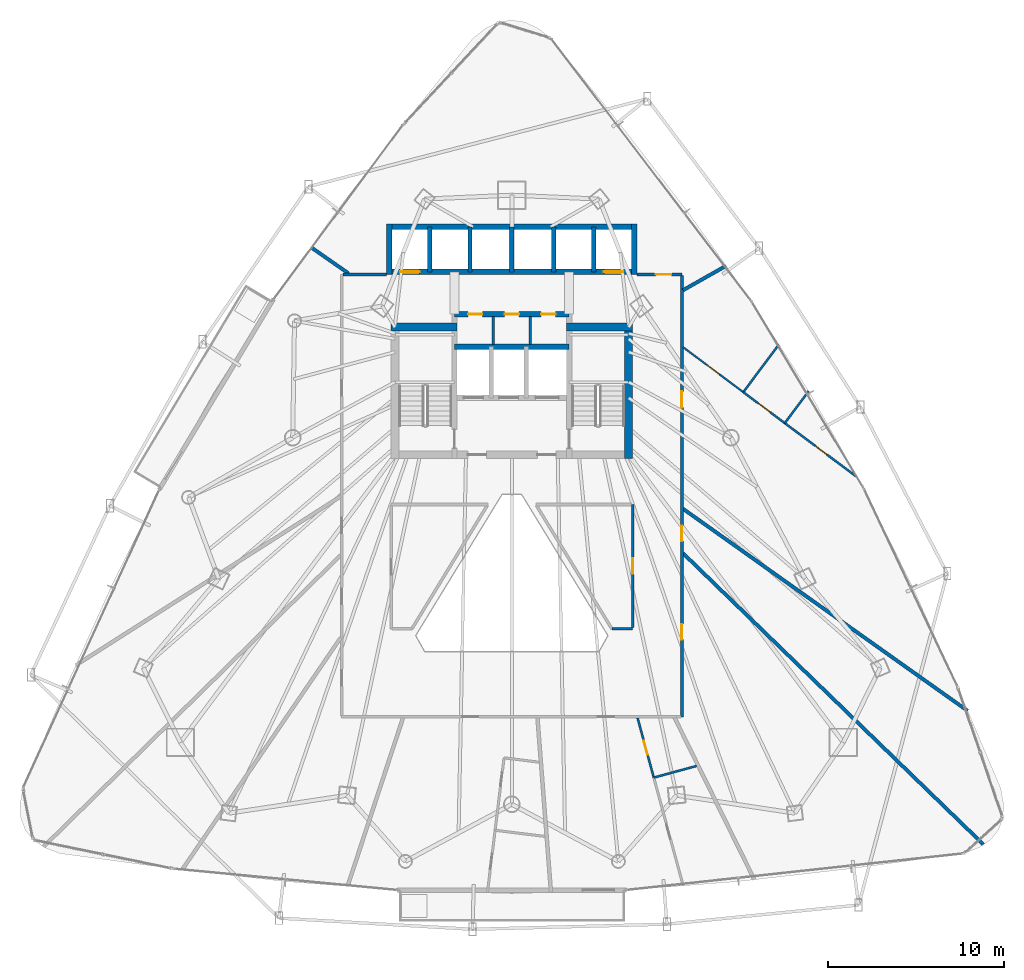
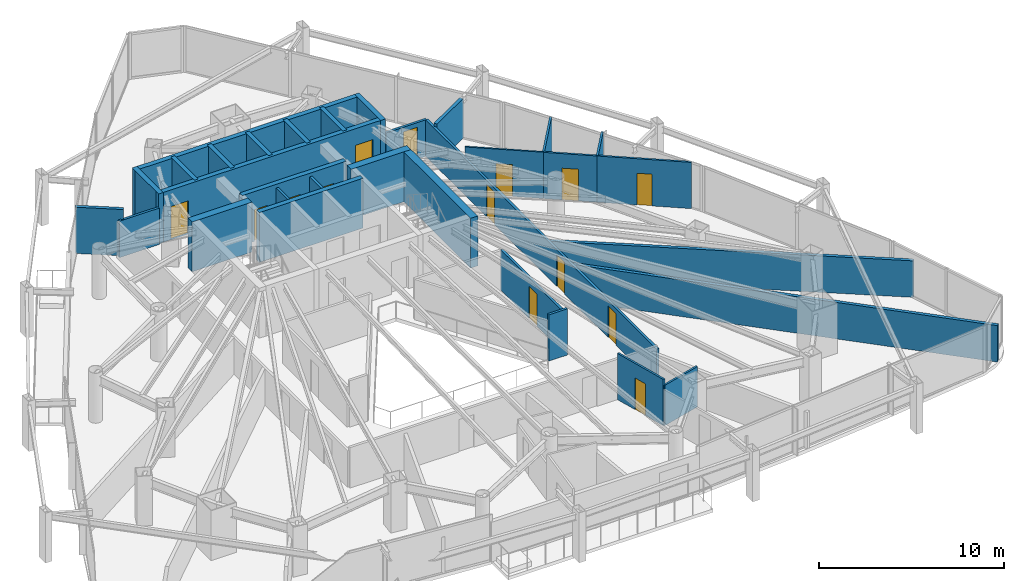
# One storey, part 30 of 34: 32 walls, 14 doors, 14 openings.
"""IFC4 building model written with IfcOpenShell, lengths in metres."""

from ifc_helpers import new_model, si_unit, direction, frame, frame_2d, origin, place, context, subcontext, project, spatial, rectangle, extrude, material, layer, layer_set, type_object, element, fill, save


model = new_model("IFC4")

# Units and contexts
model_context = context("Model", 3, precision=1e-05, world=origin(), true_north=direction((0.0, 1.0)))
body_context = subcontext(model_context, "Body", "Model", "MODEL_VIEW")
ifc_project = project(units=[si_unit("LENGTHUNIT", "METRE"), si_unit("AREAUNIT", "SQUARE_METRE"), si_unit("VOLUMEUNIT", "CUBIC_METRE"), si_unit("PLANEANGLEUNIT", "RADIAN"), si_unit("MASSUNIT", "GRAM", prefix="KILO")], contexts=[model_context])

# Site, building, storey
site_placement = place(None, origin())
site = spatial("IfcSite", under=ifc_project, at=site_placement, CompositionType="ELEMENT")
building_placement = place(site_placement, origin())
building = spatial("IfcBuilding", under=site, at=building_placement, Name="Orvanel Arch Residences", CompositionType="ELEMENT")
storey_placement = place(building_placement, frame((0.0, 0.0, 64.25)))
storey = spatial("IfcBuildingStorey", under=building, at=storey_placement, Name="L17", CompositionType="ELEMENT", Elevation=64.25)

# Walls
ifc_material_1 = material(Name="Concrete N50 (50 MPa)", Category="concrete")
ifc_layer_1 = layer(ifc_material_1, 0.25)
ifc_layer_set_1 = layer_set([ifc_layer_1], Name="Concrete N50 (50 MPa)")
wall_type_1 = type_object("IfcWallType", Name="SW-CORE-250", PredefinedType="SHEAR", material=ifc_layer_set_1)
for number, where, z_axis, x_axis, name in (
    (1, (28.35009765625, 37.050048828125, 0.0), (0.0, 0.0, 1.0), (0.0, 1.0, 0.0), "L17 Passenger Lift Inter-Shaft Wall P13"),
    (2, (30.625, 37.050048828125, 0.0), (0.0, 0.0, 1.0), (0.0, 1.0, 0.0), "L17 Passenger Lift Inter-Shaft Wall P35"),
    (3, (33.0, 37.050048828125, 0.0), (0.0, 0.0, 1.0), (0.0, 1.0, 0.0), "L17 Passenger Lift Inter-Shaft Wall P56"),
    (4, (35.375, 37.050048828125, 0.0), (0.0, 0.0, 1.0), (0.0, 1.0, 0.0), "L17 Passenger Lift Inter-Shaft Wall P64"),
    (5, (37.64990234375, 37.050048828125, 0.0), (0.0, 0.0, 1.0), (0.0, 1.0, 0.0), "L17 Passenger Lift Inter-Shaft Wall P42"),
):
    element("IfcWall", number, at=place(storey_placement, frame(where, z_axis=z_axis, x_axis=x_axis)), inside=storey, type_object=wall_type_1, Name=name, PredefinedType="SHEAR", context=body_context, shape_type="SweptSolid", body=[
        extrude(rectangle(XDim=2.550048828125, YDim=0.25, at=frame_2d((1.27490234375, 0.0))), origin(), (0.0, 0.0, 1.0), 3.300048828125),
    ])
ifc_material_2 = material(Name="Concrete S80 (80 MPa)", Category="concrete")
ifc_layer_2 = layer(ifc_material_2, 0.300048828125)
ifc_layer_set_2 = layer_set([ifc_layer_2], Name="Concrete S80 (80 MPa)")
wall_type_2 = type_object("IfcWallType", Name="SW-CORE-300", PredefinedType="SHEAR", material=ifc_layer_set_2)
wall_1_placement = place(storey_placement, frame((29.75, 32.800048828125, 0.0), z_axis=(0.0, 0.0, 1.0), x_axis=(1.0, 0.0, 0.0)))
element("IfcWall", 6, at=wall_1_placement, inside=storey, type_object=wall_type_2, Name="L17 Emergency Lift Back Core Shear Wall", PredefinedType="SHEAR", context=body_context, shape_type="SweptSolid", body=[
    extrude(rectangle(XDim=6.5, YDim=0.300048828125, at=frame_2d((3.25, 0.0))), origin(), (0.0, 0.0, 1.0), 3.300048828125),
])

# Wall, openings, doors
wall_2_placement = place(storey_placement, frame((29.75, 34.64990234375, 0.0), z_axis=(0.0, 0.0, 1.0), x_axis=(1.0, 0.0, 0.0)))
wall_2 = element("IfcWall", 7, at=wall_2_placement, inside=storey, type_object=wall_type_2, Name="L17 Core Service Band North Shear Wall", PredefinedType="SHEAR", context=body_context, shape_type="SweptSolid", body=[
    extrude(rectangle(XDim=6.5, YDim=0.300048828125, at=frame_2d((3.25, 0.0))), origin(), (0.0, 0.0, 1.0), 3.300048828125),
])
opening_1_placement = place(wall_2_placement, frame((0.764892578125, 0.0, 0.0)))
opening_1 = element("IfcOpeningElement", 8, at=opening_1_placement, cuts=wall_2, Name="Opening DS-082", PredefinedType="OPENING", context=body_context, shape_type="SweptSolid", body=[
    extrude(rectangle(XDim=0.820068359375, YDim=2.10009765625, at=frame_2d((0.41015625, 1.050048828125))), frame((0.0, 0.159912109375, 0.0), z_axis=(0.0, -1.0, 0.0), x_axis=(1.0, 0.0, 0.0)), (0.0, 0.0, 1.0), 0.320068359375),
])
opening_2_placement = place(wall_2_placement, frame((2.840087890625, 0.0, 0.0)))
opening_2 = element("IfcOpeningElement", 9, at=opening_2_placement, cuts=wall_2, Name="Opening DS-082", PredefinedType="OPENING", context=body_context, shape_type="SweptSolid", body=[
    extrude(rectangle(XDim=0.820068359375, YDim=2.10009765625, at=frame_2d((0.41015625, 1.050048828125))), frame((0.0, 0.159912109375, 0.0), z_axis=(0.0, -1.0, 0.0), x_axis=(1.0, 0.0, 0.0)), (0.0, 0.0, 1.0), 0.320068359375),
])
opening_3_placement = place(wall_2_placement, frame((4.9150390625, 0.0, 0.0)))
opening_3 = element("IfcOpeningElement", 10, at=opening_3_placement, cuts=wall_2, Name="Opening DS-082", PredefinedType="OPENING", context=body_context, shape_type="SweptSolid", body=[
    extrude(rectangle(XDim=0.820068359375, YDim=2.10009765625, at=frame_2d((0.41015625, 1.050048828125))), frame((0.0, 0.159912109375, 0.0), z_axis=(0.0, -1.0, 0.0), x_axis=(1.0, 0.0, 0.0)), (0.0, 0.0, 1.0), 0.320068359375),
])
ifc_material_3 = material(Name="Galvanised steel fire-resisting door assembly", Category="steel")
door_type_1 = type_object("IfcDoorType", Name="DR-SVC-820", OperationType="NOTDEFINED", PredefinedType="DOOR", material=ifc_material_3)
door_1_placement = place(opening_1_placement, origin())
door_1 = element("IfcDoor", 11, at=door_1_placement, inside=storey, type_object=door_type_1, Name="DR-L17-CSVC-1 L17 Housekeeping Store Door", OperationType="SINGLE_SWING_LEFT", OverallHeight=2.10009765625, OverallWidth=0.820068359375, PredefinedType="DOOR", context=body_context, shape_type="SweptSolid", body=[
    extrude(rectangle(XDim=0.820068359375, YDim=2.10009765625, at=frame_2d((0.41015625, 1.050048828125))), frame((0.0, 0.02490234375, 0.0), z_axis=(0.0, -1.0, 0.0), x_axis=(1.0, 0.0, 0.0)), (0.0, 0.0, 1.0), 0.050048828125),
])
fill(opening_1, door_1)
door_2_placement = place(opening_2_placement, origin())
door_2 = element("IfcDoor", 12, at=door_2_placement, inside=storey, type_object=door_type_1, Name="DR-L17-CSVC-2 L17 Cleaner's Store Door", OperationType="SINGLE_SWING_LEFT", OverallHeight=2.10009765625, OverallWidth=0.820068359375, PredefinedType="DOOR", context=body_context, shape_type="SweptSolid", body=[
    extrude(rectangle(XDim=0.820068359375, YDim=2.10009765625, at=frame_2d((0.41015625, 1.050048828125))), frame((0.0, 0.02490234375, 0.0), z_axis=(0.0, -1.0, 0.0), x_axis=(1.0, 0.0, 0.0)), (0.0, 0.0, 1.0), 0.050048828125),
])
fill(opening_2, door_2)
door_3_placement = place(opening_3_placement, origin())
door_3 = element("IfcDoor", 13, at=door_3_placement, inside=storey, type_object=door_type_1, Name="DR-L17-CSVC-3 L17 Comms Riser Store Door", OperationType="SINGLE_SWING_LEFT", OverallHeight=2.10009765625, OverallWidth=0.820068359375, PredefinedType="DOOR", context=body_context, shape_type="SweptSolid", body=[
    extrude(rectangle(XDim=0.820068359375, YDim=2.10009765625, at=frame_2d((0.41015625, 1.050048828125))), frame((0.0, 0.02490234375, 0.0), z_axis=(0.0, -1.0, 0.0), x_axis=(1.0, 0.0, 0.0)), (0.0, 0.0, 1.0), 0.050048828125),
])
fill(opening_3, door_3)

wall_3_placement = place(storey_placement, frame((40.10009765625, 37.050048828125, 0.0), z_axis=(0.0, 0.0, 1.0), x_axis=(-1.0, 0.0, 0.0)))
wall_3 = element("IfcWall", 14, at=wall_3_placement, inside=storey, type_object=wall_type_2, Name="L17 Passenger Lift Bank Front Shear Wall", PredefinedType="SHEAR", context=body_context, shape_type="SweptSolid", body=[
    extrude(rectangle(XDim=14.2001953125, YDim=0.300048828125, at=frame_2d((7.10009765625, 0.0))), origin(), (0.0, 0.0, 1.0), 3.300048828125),
])
opening_4_placement = place(wall_3_placement, frame((12.324951171875, 0.0, 0.0)))
opening_4 = element("IfcOpeningElement", 15, at=opening_4_placement, cuts=wall_3, Name="Opening LD-110", PredefinedType="OPENING", context=body_context, shape_type="SweptSolid", body=[
    extrude(rectangle(XDim=1.10009765625, YDim=2.199951171875, at=frame_2d((0.550048828125, 1.10009765625))), frame((0.0, 0.159912109375, 0.0), z_axis=(0.0, -1.0, 0.0), x_axis=(1.0, 0.0, 0.0)), (0.0, 0.0, 1.0), 0.320068359375),
])
opening_5_placement = place(wall_3_placement, frame((0.77490234375, 0.0, 0.0)))
opening_5 = element("IfcOpeningElement", 16, at=opening_5_placement, cuts=wall_3, Name="Opening LD-110", PredefinedType="OPENING", context=body_context, shape_type="SweptSolid", body=[
    extrude(rectangle(XDim=1.10009765625, YDim=2.199951171875, at=frame_2d((0.550048828125, 1.10009765625))), frame((0.0, 0.159912109375, 0.0), z_axis=(0.0, -1.0, 0.0), x_axis=(1.0, 0.0, 0.0)), (0.0, 0.0, 1.0), 0.320068359375),
])
door_type_2 = type_object("IfcDoorType", Name="DR-LFT-1100", OperationType="NOTDEFINED", PredefinedType="DOOR", material=ifc_material_3)
door_4_placement = place(opening_4_placement, origin())
door_4 = element("IfcDoor", 17, at=door_4_placement, inside=storey, type_object=door_type_2, Name="LD-P1-L17 L17 Passenger Lift P1 Sliding Landing Door", OperationType="DOUBLE_DOOR_SLIDING", OverallHeight=2.199951171875, OverallWidth=1.10009765625, PredefinedType="DOOR", context=body_context, shape_type="SweptSolid", body=[
    extrude(rectangle(XDim=1.10009765625, YDim=2.199951171875, at=frame_2d((0.550048828125, 1.10009765625))), frame((0.0, 0.02490234375, 0.0), z_axis=(0.0, -1.0, 0.0), x_axis=(1.0, 0.0, 0.0)), (0.0, 0.0, 1.0), 0.050048828125),
])
fill(opening_4, door_4)
door_5_placement = place(opening_5_placement, origin())
door_5 = element("IfcDoor", 18, at=door_5_placement, inside=storey, type_object=door_type_2, Name="LD-P2-L17 L17 Passenger Lift P2 Sliding Landing Door", OperationType="DOUBLE_DOOR_SLIDING", OverallHeight=2.199951171875, OverallWidth=1.10009765625, PredefinedType="DOOR", context=body_context, shape_type="SweptSolid", body=[
    extrude(rectangle(XDim=1.10009765625, YDim=2.199951171875, at=frame_2d((0.550048828125, 1.10009765625))), frame((0.0, 0.02490234375, 0.0), z_axis=(0.0, -1.0, 0.0), x_axis=(1.0, 0.0, 0.0)), (0.0, 0.0, 1.0), 0.050048828125),
])
fill(opening_5, door_5)

# Walls
wall_4_placement = place(storey_placement, frame((25.89990234375, 39.60009765625, 0.0), z_axis=(0.0, 0.0, 1.0), x_axis=(1.0, 0.0, 0.0)))
element("IfcWall", 19, at=wall_4_placement, inside=storey, type_object=wall_type_2, Name="L17 Passenger Lift Bank North Shear Wall", PredefinedType="SHEAR", context=body_context, shape_type="SweptSolid", body=[
    extrude(rectangle(XDim=14.2001953125, YDim=0.300048828125, at=frame_2d((7.10009765625, 0.0))), origin(), (0.0, 0.0, 1.0), 3.300048828125),
])
for number, where, z_axis, x_axis, name in (
    (20, (26.050048828125, 36.89990234375, 0.0), (0.0, 0.0, 1.0), (0.0, 1.0, 0.0), "L17 Passenger Lift Bank West Shear Wall"),
    (21, (39.949951171875, 36.89990234375, 0.0), (0.0, 0.0, 1.0), (0.0, 1.0, 0.0), "L17 Passenger Lift Bank East Shear Wall"),
):
    element("IfcWall", number, at=place(storey_placement, frame(where, z_axis=z_axis, x_axis=x_axis)), inside=storey, type_object=wall_type_2, Name=name, PredefinedType="SHEAR", context=body_context, shape_type="SweptSolid", body=[
        extrude(rectangle(XDim=2.85009765625, YDim=0.300048828125, at=frame_2d((1.425048828125, 0.0))), origin(), (0.0, 0.0, 1.0), 3.300048828125),
    ])
ifc_layer_3 = layer(ifc_material_2, 0.449951171875)
ifc_layer_set_3 = layer_set([ifc_layer_3], Name="Concrete S80 (80 MPa)")
wall_type_3 = type_object("IfcWallType", Name="SW-CORE-450", PredefinedType="SHEAR", material=ifc_layer_set_3)
wall_5_placement = place(storey_placement, frame((26.14990234375, 33.925048828125, 0.0), z_axis=(0.0, 0.0, 1.0), x_axis=(1.0, 0.0, 0.0)))
element("IfcWall", 22, at=wall_5_placement, inside=storey, type_object=wall_type_3, Name="L17 West Stair North Shear Wall", PredefinedType="SHEAR", context=body_context, shape_type="SweptSolid", body=[
    extrude(rectangle(XDim=3.75, YDim=0.449951171875, at=frame_2d((1.875, 0.0))), origin(), (0.0, 0.0, 1.0), 3.300048828125),
])
wall_6_placement = place(storey_placement, frame((39.625, 26.449951171875, 0.0), z_axis=(0.0, 0.0, 1.0), x_axis=(0.0, 1.0, 0.0)))
element("IfcWall", 23, at=wall_6_placement, inside=storey, type_object=wall_type_3, Name="L17 East Stair Shear Wall", PredefinedType="SHEAR", context=body_context, shape_type="SweptSolid", body=[
    extrude(rectangle(XDim=7.699951171875, YDim=0.449951171875, at=frame_2d((3.85009765625, 0.0))), origin(), (0.0, 0.0, 1.0), 3.300048828125),
])
wall_7_placement = place(storey_placement, frame((36.10009765625, 33.925048828125, 0.0), z_axis=(0.0, 0.0, 1.0), x_axis=(1.0, 0.0, 0.0)))
element("IfcWall", 24, at=wall_7_placement, inside=storey, type_object=wall_type_3, Name="L17 East Stair North Shear Wall", PredefinedType="SHEAR", context=body_context, shape_type="SweptSolid", body=[
    extrude(rectangle(XDim=3.75, YDim=0.449951171875, at=frame_2d((1.875, 0.0))), origin(), (0.0, 0.0, 1.0), 3.300048828125),
])

# Wall, opening, door
ifc_material_4 = material(Name="Fire-rated plasterboard lined steel stud partition", Category="steel")
ifc_layer_4 = layer(ifc_material_4, 0.14990234375)
ifc_layer_set_4 = layer_set([ifc_layer_4], Name="Fire-rated plasterboard lined steel stud partition")
wall_type_4 = type_object("IfcWallType", Name="W-COR-150", PredefinedType="PARTITIONING", material=ifc_layer_set_4)
wall_8_placement = place(storey_placement, frame((40.10009765625, 36.89990234375, 0.0), z_axis=(0.0, 0.0, 1.0), x_axis=(1.0, 0.0, 0.0)))
wall_8 = element("IfcWall", 25, at=wall_8_placement, inside=storey, type_object=wall_type_4, Name="L17 Corridor Fire-Rated Partition", PredefinedType="PARTITIONING", context=body_context, shape_type="SweptSolid", body=[
    extrude(rectangle(XDim=2.5498046875, YDim=0.14990234375, at=frame_2d((1.27490234375, 0.0))), origin(), (0.0, 0.0, 1.0), 2.4130859375),
])
opening_6_placement = place(wall_8_placement, frame((1.069091796875, 0.0, 0.0)))
opening_6 = element("IfcOpeningElement", 26, at=opening_6_placement, cuts=wall_8, Name="Opening DI-088", PredefinedType="OPENING", context=body_context, shape_type="SweptSolid", body=[
    extrude(rectangle(XDim=0.8798828125, YDim=2.10009765625, at=frame_2d((0.43994140625, 1.050048828125))), frame((0.0, 0.0849609375, 0.0), z_axis=(0.0, -1.0, 0.0), x_axis=(1.0, 0.0, 0.0)), (0.0, 0.0, 1.0), 0.169921875),
])
ifc_material_5 = material(Name="Solid-core European oak veneer fire door leaf", Category="wood")
door_type_3 = type_object("IfcDoorType", Name="DR-INT-880", OperationType="NOTDEFINED", PredefinedType="DOOR", material=ifc_material_5)
door_6_placement = place(opening_6_placement, origin())
door_6 = element("IfcDoor", 27, at=door_6_placement, inside=storey, type_object=door_type_3, Name="DR-L17-SHRD-FB1 L17 Co-Working Study Office A Door", OperationType="SINGLE_SWING_LEFT", OverallHeight=2.10009765625, OverallWidth=0.8798828125, PredefinedType="DOOR", context=body_context, shape_type="SweptSolid", body=[
    extrude(rectangle(XDim=0.8798828125, YDim=2.10009765625, at=frame_2d((0.43994140625, 1.050048828125))), frame((0.0, 0.02490234375, 0.0), z_axis=(0.0, -1.0, 0.0), x_axis=(1.0, 0.0, 0.0)), (0.0, 0.0, 1.0), 0.050048828125),
])
fill(opening_6, door_6)

# Wall, openings, doors
wall_9_placement = place(storey_placement, frame((42.64990234375, 36.840087890625, 0.0), z_axis=(0.0, 0.0, 1.0), x_axis=(0.0, -1.0, 0.0)))
wall_9 = element("IfcWall", 28, at=wall_9_placement, inside=storey, type_object=wall_type_4, Name="L17 Corridor Fire-Rated Partition", PredefinedType="PARTITIONING", context=body_context, shape_type="SweptSolid", body=[
    extrude(rectangle(XDim=25.0400390625, YDim=0.14990234375, at=frame_2d((12.52001953125, 0.0))), origin(), (0.0, 0.0, 1.0), 2.4130859375),
])
opening_7_placement = place(wall_9_placement, frame((6.576904296875, 0.0, 0.0)))
opening_7 = element("IfcOpeningElement", 29, at=opening_7_placement, cuts=wall_9, Name="Opening DA-092", PredefinedType="OPENING", context=body_context, shape_type="SweptSolid", body=[
    extrude(rectangle(XDim=0.919921875, YDim=2.14990234375, at=frame_2d((0.4599609375, 1.074951171875))), frame((0.0, 0.0849609375, 0.0), z_axis=(0.0, -1.0, 0.0), x_axis=(1.0, 0.0, 0.0)), (0.0, 0.0, 1.0), 0.169921875),
])
opening_8_placement = place(wall_9_placement, frame((19.777099609375, 0.0, 0.0)))
opening_8 = element("IfcOpeningElement", 30, at=opening_8_placement, cuts=wall_9, Name="Opening DI-088", PredefinedType="OPENING", context=body_context, shape_type="SweptSolid", body=[
    extrude(rectangle(XDim=0.8798828125, YDim=2.10009765625, at=frame_2d((0.43994140625, 1.050048828125))), frame((0.0, 0.0849609375, 0.0), z_axis=(0.0, -1.0, 0.0), x_axis=(1.0, 0.0, 0.0)), (0.0, 0.0, 1.0), 0.169921875),
])
opening_9_placement = place(wall_9_placement, frame((14.193115234375, 0.0, 0.0)))
opening_9 = element("IfcOpeningElement", 31, at=opening_9_placement, cuts=wall_9, Name="Opening DI-088", PredefinedType="OPENING", context=body_context, shape_type="SweptSolid", body=[
    extrude(rectangle(XDim=0.8798828125, YDim=2.10009765625, at=frame_2d((0.43994140625, 1.050048828125))), frame((0.0, 0.0849609375, 0.0), z_axis=(0.0, -1.0, 0.0), x_axis=(1.0, 0.0, 0.0)), (0.0, 0.0, 1.0), 0.169921875),
])
door_type_4 = type_object("IfcDoorType", Name="DR-APT-920", OperationType="NOTDEFINED", PredefinedType="DOOR", material=ifc_material_5)
door_7_placement = place(opening_7_placement, origin())
door_7 = element("IfcDoor", 32, at=door_7_placement, inside=storey, type_object=door_type_4, Name="DR-L17-B-ENT L17 Flat B Entrance Door", OperationType="SINGLE_SWING_LEFT", OverallHeight=2.14990234375, OverallWidth=0.919921875, PredefinedType="DOOR", context=body_context, shape_type="SweptSolid", body=[
    extrude(rectangle(XDim=0.919921875, YDim=2.14990234375, at=frame_2d((0.4599609375, 1.074951171875))), frame((0.0, 0.02490234375, 0.0), z_axis=(0.0, -1.0, 0.0), x_axis=(1.0, 0.0, 0.0)), (0.0, 0.0, 1.0), 0.050048828125),
])
fill(opening_7, door_7)
door_8_placement = place(opening_8_placement, origin())
door_8 = element("IfcDoor", 33, at=door_8_placement, inside=storey, type_object=door_type_3, Name="DR-L17-SHRD-FB3 L17 Co-Working Study Office C Door", OperationType="SINGLE_SWING_LEFT", OverallHeight=2.10009765625, OverallWidth=0.8798828125, PredefinedType="DOOR", context=body_context, shape_type="SweptSolid", body=[
    extrude(rectangle(XDim=0.8798828125, YDim=2.10009765625, at=frame_2d((0.43994140625, 1.050048828125))), frame((0.0, 0.02490234375, 0.0), z_axis=(0.0, -1.0, 0.0), x_axis=(1.0, 0.0, 0.0)), (0.0, 0.0, 1.0), 0.050048828125),
])
fill(opening_8, door_8)
door_9_placement = place(opening_9_placement, origin())
door_9 = element("IfcDoor", 34, at=door_9_placement, inside=storey, type_object=door_type_3, Name="DR-L17-SHRD-FB9 L17 Co-Working Study Office I Door", OperationType="SINGLE_SWING_LEFT", OverallHeight=2.10009765625, OverallWidth=0.8798828125, PredefinedType="DOOR", context=body_context, shape_type="SweptSolid", body=[
    extrude(rectangle(XDim=0.8798828125, YDim=2.10009765625, at=frame_2d((0.43994140625, 1.050048828125))), frame((0.0, 0.02490234375, 0.0), z_axis=(0.0, -1.0, 0.0), x_axis=(1.0, 0.0, 0.0)), (0.0, 0.0, 1.0), 0.050048828125),
])
fill(opening_9, door_9)

# Walls
wall_10_placement = place(storey_placement, frame((23.409912109375, 36.89990234375, 0.0), z_axis=(0.0, 0.0, 1.0), x_axis=(1.0, 0.0, 0.0)))
element("IfcWall", 35, at=wall_10_placement, inside=storey, type_object=wall_type_4, Name="L17 Corridor Fire-Rated Partition", PredefinedType="PARTITIONING", context=body_context, shape_type="SweptSolid", body=[
    extrude(rectangle(XDim=2.489990234375, YDim=0.14990234375, at=frame_2d((1.2451171875, 0.0))), origin(), (0.0, 0.0, 1.0), 2.4130859375),
])
wall_11_placement = place(storey_placement, frame((38.673095703125, 16.800048828125, 0.0), z_axis=(0.0, 0.0, 1.0), x_axis=(1.0, 0.0, 0.0)))
element("IfcWall", 36, at=wall_11_placement, inside=storey, type_object=wall_type_4, Name="L17 Corridor Fire-Rated Partition", PredefinedType="PARTITIONING", context=body_context, shape_type="SweptSolid", body=[
    extrude(rectangle(XDim=1.177001953125, YDim=0.14990234375, at=frame_2d((0.58837890625, 0.0))), origin(), (0.0, 0.0, 1.0), 3.06005859375),
])

# Wall, opening, door
wall_12_placement = place(storey_placement, frame((39.85009765625, 16.860107421875, 0.0), z_axis=(0.0, 0.0, 1.0), x_axis=(0.0, 1.0, 0.0)))
wall_12 = element("IfcWall", 37, at=wall_12_placement, inside=storey, type_object=wall_type_4, Name="L17 Corridor Fire-Rated Partition", PredefinedType="PARTITIONING", context=body_context, shape_type="SweptSolid", body=[
    extrude(rectangle(XDim=6.989990234375, YDim=0.14990234375, at=frame_2d((3.4951171875, 0.0))), origin(), (0.0, 0.0, 1.0), 2.6689453125),
])
opening_10_placement = place(wall_12_placement, frame((3.054931640625, 0.0, 0.0)))
opening_10 = element("IfcOpeningElement", 38, at=opening_10_placement, cuts=wall_12, Name="Opening DI-088", PredefinedType="OPENING", context=body_context, shape_type="SweptSolid", body=[
    extrude(rectangle(XDim=0.8798828125, YDim=2.10009765625, at=frame_2d((0.43994140625, 1.050048828125))), frame((0.0, 0.0849609375, 0.0), z_axis=(0.0, -1.0, 0.0), x_axis=(1.0, 0.0, 0.0)), (0.0, 0.0, 1.0), 0.169921875),
])
door_10_placement = place(opening_10_placement, origin())
door_10 = element("IfcDoor", 39, at=door_10_placement, inside=storey, type_object=door_type_3, Name="DR-L17-SHRD-FB11 L17 Co-Working Study Office K Door", OperationType="SINGLE_SWING_LEFT", OverallHeight=2.10009765625, OverallWidth=0.8798828125, PredefinedType="DOOR", context=body_context, shape_type="SweptSolid", body=[
    extrude(rectangle(XDim=0.8798828125, YDim=2.10009765625, at=frame_2d((0.43994140625, 1.050048828125))), frame((0.0, 0.02490234375, 0.0), z_axis=(0.0, -1.0, 0.0), x_axis=(1.0, 0.0, 0.0)), (0.0, 0.0, 1.0), 0.050048828125),
])
fill(opening_10, door_10)

# Walls
ifc_layer_5 = layer(ifc_material_4, 0.199951171875)
ifc_layer_set_5 = layer_set([ifc_layer_5], Name="Fire-rated plasterboard lined steel stud partition")
wall_type_5 = type_object("IfcWallType", Name="W-DEM-200", PredefinedType="PARTITIONING", material=ifc_layer_set_5)
wall_13_placement = place(storey_placement, frame((45.152099609375, 37.39111328125, 0.0), z_axis=(0.0, 0.0, 1.0), x_axis=(-0.86984931175, -0.4933175193, 0.0)))
element("IfcWall", 40, at=wall_13_placement, inside=storey, type_object=wall_type_5, Name="L17 Inter-Tenancy Acoustic Demising Wall", PredefinedType="PARTITIONING", context=body_context, shape_type="SweptSolid", body=[
    extrude(rectangle(XDim=2.8076171875, YDim=0.199951171875, at=frame_2d((1.40380859375, 0.0))), origin(), (0.0, 0.0, 1.0), 2.618896484375),
])
wall_14_placement = place(storey_placement, frame((23.736083984375, 36.9599609375, 0.0), z_axis=(0.0, 0.0, 1.0), x_axis=(-0.820275422115, 0.571968733302, 0.0)))
element("IfcWall", 41, at=wall_14_placement, inside=storey, type_object=wall_type_5, Name="L17 Inter-Tenancy Acoustic Demising Wall", PredefinedType="PARTITIONING", context=body_context, shape_type="SweptSolid", body=[
    extrude(rectangle(XDim=2.6015625, YDim=0.199951171875, at=frame_2d((1.30078125, 0.0))), origin(), (0.0, 0.0, 1.0), 3.06005859375),
])
wall_15_placement = place(storey_placement, frame((58.865966796875, 12.14111328125, 0.0), z_axis=(0.0, 0.0, 1.0), x_axis=(-0.815477500133, 0.578788775614, 0.0)))
element("IfcWall", 42, at=wall_15_placement, inside=storey, type_object=wall_type_5, Name="L17 Inter-Tenancy Acoustic Demising Wall", PredefinedType="PARTITIONING", context=body_context, shape_type="SweptSolid", body=[
    extrude(rectangle(XDim=19.811767578125, YDim=0.199951171875, at=frame_2d((9.90576171875, 0.0))), origin(), (0.0, 0.0, 1.0), 2.4130859375),
])
wall_16_placement = place(storey_placement, frame((42.7099609375, 21.0869140625, 0.0), z_axis=(0.0, 0.0, 1.0), x_axis=(0.717996025824, -0.696047201633, 0.0)))
element("IfcWall", 43, at=wall_16_placement, inside=storey, type_object=wall_type_5, Name="L17 Inter-Tenancy Acoustic Demising Wall", PredefinedType="PARTITIONING", context=body_context, shape_type="SweptSolid", body=[
    extrude(rectangle(XDim=23.73681640625, YDim=0.199951171875, at=frame_2d((11.868408203125, 0.0))), origin(), (0.0, 0.0, 1.0), 2.4130859375),
])

# Wall, opening, door
ifc_material_6 = material(Name="Acoustic plasterboard lined twin-stud partition", Category="gypsum")
ifc_layer_6 = layer(ifc_material_6, 0.10009765625)
ifc_layer_set_6 = layer_set([ifc_layer_6], Name="Acoustic plasterboard lined twin-stud partition")
wall_type_6 = type_object("IfcWallType", Name="W-INT-100", PredefinedType="PARTITIONING", material=ifc_layer_set_6)
wall_17_placement = place(storey_placement, frame((42.7099609375, 32.779052734375, 0.0), z_axis=(0.0, 0.0, 1.0), x_axis=(0.801226493917, -0.598361183104, 0.0)))
wall_17 = element("IfcWall", 44, at=wall_17_placement, inside=storey, type_object=wall_type_6, Name="L17 Flat B Internal Partition", PredefinedType="PARTITIONING", context=body_context, shape_type="SweptSolid", body=[
    extrude(rectangle(XDim=4.269775390625, YDim=0.10009765625, at=frame_2d((2.134765625, 0.0))), origin(), (0.0, 0.0, 1.0), 3.06005859375),
])
opening_11_placement = place(wall_17_placement, frame((1.695068359375, 0.0, 0.0)))
opening_11 = element("IfcOpeningElement", 45, at=opening_11_placement, cuts=wall_17, Name="Opening DI-088", PredefinedType="OPENING", context=body_context, shape_type="SweptSolid", body=[
    extrude(rectangle(XDim=0.8798828125, YDim=2.10009765625, at=frame_2d((0.43994140625, 1.050048828125))), frame((0.0, 0.06005859375, 0.0), z_axis=(0.0, -1.0, 0.0), x_axis=(1.0, 0.0, 0.0)), (0.0, 0.0, 1.0), 0.1201171875),
])
door_11_placement = place(opening_11_placement, origin())
door_11 = element("IfcDoor", 46, at=door_11_placement, inside=storey, type_object=door_type_3, Name="DR-L17-B-BED1 L17 Flat B Bedroom 1 Door", OperationType="SINGLE_SWING_LEFT", OverallHeight=2.10009765625, OverallWidth=0.8798828125, PredefinedType="DOOR", context=body_context, shape_type="SweptSolid", body=[
    extrude(rectangle(XDim=0.8798828125, YDim=2.10009765625, at=frame_2d((0.43994140625, 1.050048828125))), frame((0.0, 0.02490234375, 0.0), z_axis=(0.0, -1.0, 0.0), x_axis=(1.0, 0.0, 0.0)), (0.0, 0.0, 1.0), 0.050048828125),
])
fill(opening_11, door_11)

# Walls
ifc_layer_7 = layer(ifc_material_4, 0.14990234375)
ifc_layer_set_7 = layer_set([ifc_layer_7], Name="Fire-rated plasterboard lined steel stud partition")
wall_type_7 = type_object("IfcWallType", Name="W-ST-150", PredefinedType="PARTITIONING", material=ifc_layer_set_7)
for number, where, z_axis, x_axis, name in (
    (47, (31.949951171875, 32.93505859375, 0.0), (0.0, 0.0, 1.0), (0.0, 1.0, 0.0), "L17 Core Service Partition 1"),
    (48, (34.050048828125, 32.93505859375, 0.0), (0.0, 0.0, 1.0), (0.0, 1.0, 0.0), "L17 Core Service Partition 2"),
):
    element("IfcWall", number, at=place(storey_placement, frame(where, z_axis=z_axis, x_axis=x_axis)), inside=storey, type_object=wall_type_7, Name=name, PredefinedType="PARTITIONING", context=body_context, shape_type="SweptSolid", body=[
        extrude(rectangle(XDim=1.579833984375, YDim=0.14990234375, at=frame_2d((0.7900390625, 0.0))), origin(), (0.0, 0.0, 1.0), 3.06005859375),
    ])

# Wall, opening, door
ifc_layer_8 = layer(ifc_material_6, 0.1201171875)
ifc_layer_set_8 = layer_set([ifc_layer_8], Name="Acoustic plasterboard lined twin-stud partition")
wall_type_8 = type_object("IfcWallType", Name="W-WET-120", PredefinedType="PARTITIONING", material=ifc_layer_set_8)
wall_18_placement = place(storey_placement, frame((48.485107421875, 28.467041015625, 0.0), z_axis=(0.0, 0.0, 1.0), x_axis=(0.80130205943, -0.598259984917, 0.0)))
wall_18 = element("IfcWall", 49, at=wall_18_placement, inside=storey, type_object=wall_type_8, Name="L17 Flat B Bathroom Partition", PredefinedType="PARTITIONING", context=body_context, shape_type="SweptSolid", body=[
    extrude(rectangle(XDim=5.14501953125, YDim=0.1201171875, at=frame_2d((2.572509765625, 0.0))), origin(), (0.0, 0.0, 1.0), 3.06005859375),
])
opening_12_placement = place(wall_18_placement, frame((2.1630859375, 0.0, 0.0)))
opening_12 = element("IfcOpeningElement", 50, at=opening_12_placement, cuts=wall_18, Name="Opening DW-082", PredefinedType="OPENING", context=body_context, shape_type="SweptSolid", body=[
    extrude(rectangle(XDim=0.820068359375, YDim=2.10009765625, at=frame_2d((0.41015625, 1.050048828125))), frame((0.0, 0.070068359375, 0.0), z_axis=(0.0, -1.0, 0.0), x_axis=(1.0, 0.0, 0.0)), (0.0, 0.0, 1.0), 0.14013671875),
])
door_type_5 = type_object("IfcDoorType", Name="DR-WET-820", OperationType="NOTDEFINED", PredefinedType="DOOR", material=ifc_material_5)
door_12_placement = place(opening_12_placement, origin())
door_12 = element("IfcDoor", 51, at=door_12_placement, inside=storey, type_object=door_type_5, Name="DR-L17-B-BATH L17 Flat B Bathroom Door", OperationType="SINGLE_SWING_RIGHT", OverallHeight=2.10009765625, OverallWidth=0.820068359375, PredefinedType="DOOR", context=body_context, shape_type="SweptSolid", body=[
    extrude(rectangle(XDim=0.820068359375, YDim=2.10009765625, at=frame_2d((0.41015625, 1.050048828125))), frame((0.0, 0.02490234375, 0.0), z_axis=(0.0, -1.0, 0.0), x_axis=(1.0, 0.0, 0.0)), (0.0, 0.0, 1.0), 0.050048828125),
])
fill(opening_12, door_12)

wall_19_placement = place(storey_placement, frame((46.131103515625, 30.22412109375, 0.0), z_axis=(0.0, 0.0, 1.0), x_axis=(0.801374244223, -0.598163289325, 0.0)))
wall_19 = element("IfcWall", 52, at=wall_19_placement, inside=storey, type_object=wall_type_8, Name="L17 Flat B Internal Partition", PredefinedType="PARTITIONING", context=body_context, shape_type="SweptSolid", body=[
    extrude(rectangle(XDim=2.9375, YDim=0.1201171875, at=frame_2d((1.46875, 0.0))), origin(), (0.0, 0.0, 1.0), 3.06005859375),
])
opening_13_placement = place(wall_19_placement, frame((1.029052734375, 0.0, 0.0)))
opening_13 = element("IfcOpeningElement", 53, at=opening_13_placement, cuts=wall_19, Name="Opening DI-088", PredefinedType="OPENING", context=body_context, shape_type="SweptSolid", body=[
    extrude(rectangle(XDim=0.8798828125, YDim=2.10009765625, at=frame_2d((0.43994140625, 1.050048828125))), frame((0.0, 0.070068359375, 0.0), z_axis=(0.0, -1.0, 0.0), x_axis=(1.0, 0.0, 0.0)), (0.0, 0.0, 1.0), 0.14013671875),
])
door_13_placement = place(opening_13_placement, origin())
door_13 = element("IfcDoor", 54, at=door_13_placement, inside=storey, type_object=door_type_3, Name="DR-L17-B-KIT L17 Flat B Kitchen Door", OperationType="SINGLE_SWING_LEFT", OverallHeight=2.10009765625, OverallWidth=0.8798828125, PredefinedType="DOOR", context=body_context, shape_type="SweptSolid", body=[
    extrude(rectangle(XDim=0.8798828125, YDim=2.10009765625, at=frame_2d((0.43994140625, 1.050048828125))), frame((0.0, 0.02490234375, 0.0), z_axis=(0.0, -1.0, 0.0), x_axis=(1.0, 0.0, 0.0)), (0.0, 0.0, 1.0), 0.050048828125),
])
fill(opening_13, door_13)

# Walls
wall_20_placement = place(storey_placement, frame((48.485107421875, 28.467041015625, 0.0), z_axis=(0.0, 0.0, 1.0), x_axis=(0.59837605097, 0.801215390282, 0.0)))
element("IfcWall", 55, at=wall_20_placement, inside=storey, type_object=wall_type_8, Name="L17 Flat B Bathroom Partition", PredefinedType="PARTITIONING", context=body_context, shape_type="SweptSolid", body=[
    extrude(rectangle(XDim=2.2626953125, YDim=0.1201171875, at=frame_2d((1.13134765625, 0.0))), origin(), (0.0, 0.0, 1.0), 3.06005859375),
])
wall_21_placement = place(storey_placement, frame((46.131103515625, 30.22412109375, 0.0), z_axis=(0.0, 0.0, 1.0), x_axis=(0.598226648312, 0.801326947787, 0.0)))
element("IfcWall", 56, at=wall_21_placement, inside=storey, type_object=wall_type_8, Name="L17 Flat B Internal Partition", PredefinedType="PARTITIONING", context=body_context, shape_type="SweptSolid", body=[
    extrude(rectangle(XDim=3.373046875, YDim=0.1201171875, at=frame_2d((1.6865234375, 0.0))), origin(), (0.0, 0.0, 1.0), 3.06005859375),
])

# Wall, opening, door
wall_22_placement = place(storey_placement, frame((40.134033203125, 11.739990234375, 0.0), z_axis=(0.0, 0.0, 1.0), x_axis=(0.262203658207, -0.965012560345, 0.0)))
wall_22 = element("IfcWall", 57, at=wall_22_placement, inside=storey, type_object=wall_type_8, Name="L17 Studio H Bathroom Partition", PredefinedType="PARTITIONING", context=body_context, shape_type="SweptSolid", body=[
    extrude(rectangle(XDim=3.504638671875, YDim=0.1201171875, at=frame_2d((1.75244140625, 0.0))), origin(), (0.0, 0.0, 1.0), 3.06005859375),
])
opening_14_placement = place(wall_22_placement, frame((1.342041015625, 0.0, 0.0)))
opening_14 = element("IfcOpeningElement", 58, at=opening_14_placement, cuts=wall_22, Name="Opening DW-082", PredefinedType="OPENING", context=body_context, shape_type="SweptSolid", body=[
    extrude(rectangle(XDim=0.820068359375, YDim=2.10009765625, at=frame_2d((0.41015625, 1.050048828125))), frame((0.0, 0.070068359375, 0.0), z_axis=(0.0, -1.0, 0.0), x_axis=(1.0, 0.0, 0.0)), (0.0, 0.0, 1.0), 0.14013671875),
])
door_14_placement = place(opening_14_placement, origin())
door_14 = element("IfcDoor", 59, at=door_14_placement, inside=storey, type_object=door_type_5, Name="DR-L17-H-BATH L17 Studio H Bathroom Door", OperationType="SINGLE_SWING_RIGHT", OverallHeight=2.10009765625, OverallWidth=0.820068359375, PredefinedType="DOOR", context=body_context, shape_type="SweptSolid", body=[
    extrude(rectangle(XDim=0.820068359375, YDim=2.10009765625, at=frame_2d((0.41015625, 1.050048828125))), frame((0.0, 0.02490234375, 0.0), z_axis=(0.0, -1.0, 0.0), x_axis=(1.0, 0.0, 0.0)), (0.0, 0.0, 1.0), 0.050048828125),
])
fill(opening_14, door_14)

# Wall
wall_23_placement = place(storey_placement, frame((43.485107421875, 9.02001953125, 0.0), z_axis=(0.0, 0.0, 1.0), x_axis=(-0.964884417827, -0.262674818425, 0.0)))
element("IfcWall", 60, at=wall_23_placement, inside=storey, type_object=wall_type_8, Name="L17 Studio H Bathroom Partition", PredefinedType="PARTITIONING", context=body_context, shape_type="SweptSolid", body=[
    extrude(rectangle(XDim=2.520751953125, YDim=0.1201171875, at=frame_2d((1.26025390625, 0.0))), origin(), (0.0, 0.0, 1.0), 2.6689453125),
])

save(model, "model.ifc")
